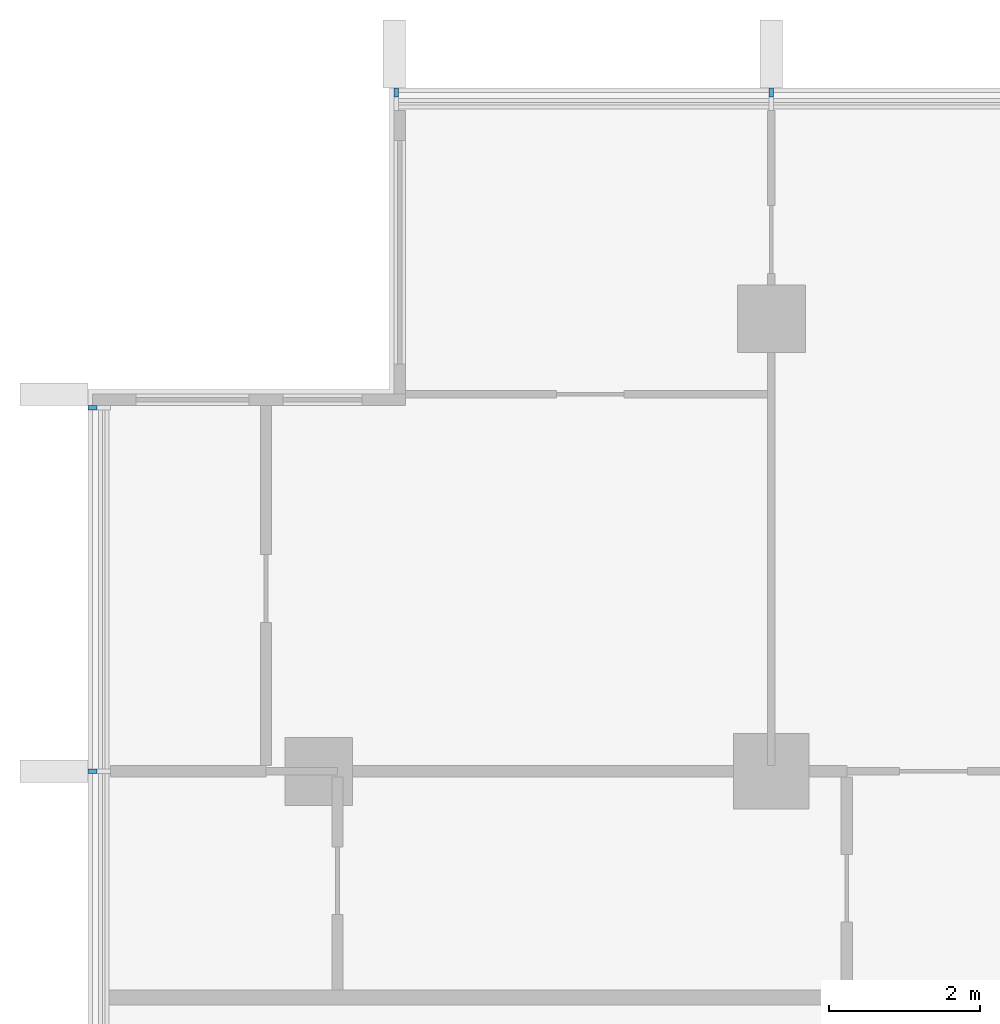
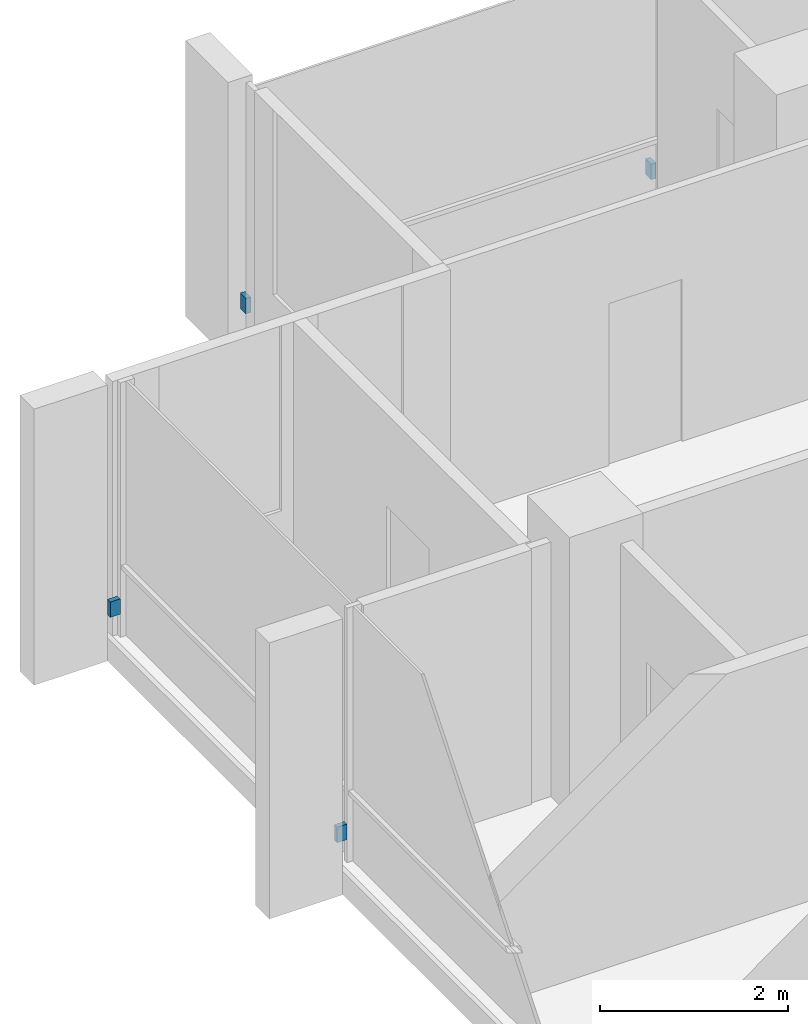
# One storey, part 15 of 17: 4 discrete accessories.
"""IFC4 building model written with IfcOpenShell, lengths in metres."""

from ifc_helpers import new_model, si_unit, direction, frame, origin, origin_2d, place, context, subcontext, project, spatial, rectangle, extrude, material, type_object, element, save


model = new_model("IFC4")

# Units and contexts
model_context = context("Model", 3, precision=1e-05, world=origin(), true_north=direction((0.0, 1.0)))
body_context = subcontext(model_context, "Body", "Model", "MODEL_VIEW")
ifc_project = project(units=[si_unit("LENGTHUNIT", "METRE"), si_unit("AREAUNIT", "SQUARE_METRE"), si_unit("VOLUMEUNIT", "CUBIC_METRE"), si_unit("PLANEANGLEUNIT", "RADIAN"), si_unit("MASSUNIT", "GRAM", prefix="KILO")], contexts=[model_context])

# Site, building, storey
site_placement = place(None, origin())
site = spatial("IfcSite", under=ifc_project, at=site_placement, CompositionType="ELEMENT")
building_placement = place(site_placement, origin())
building = spatial("IfcBuilding", under=site, at=building_placement, Name="Finial Court Residences", CompositionType="ELEMENT")
storey_placement = place(building_placement, frame((0.0, 0.0, 174.5)))
storey = spatial("IfcBuildingStorey", under=building, at=storey_placement, Name="L43", CompositionType="ELEMENT", Elevation=174.5)

# Discrete accessories
ifc_material = material(Name="Stainless steel 316", Category="steel")
discrete_accessory_type = type_object("IfcDiscreteAccessoryType", Name="Fin bracket, stainless steel 60 x 122 x 200", PredefinedType="BRACKET", material=ifc_material)
for number, where, z_axis, x_axis, name in (
    (1, (-15.469970703125, 22.498779296875, 0.2998046875), (0.0, 0.0, 1.0), (1.0, 0.0, 0.0), "E-L43-FIN-N1-BRK"),
    (2, (-10.5, 22.498779296875, 0.2998046875), (0.0, 0.0, 1.0), (1.0, 0.0, 0.0), "E-L43-FIN-N2-BRK"),
):
    element("IfcDiscreteAccessory", number, at=place(storey_placement, frame(where, z_axis=z_axis, x_axis=x_axis)), inside=storey, type_object=discrete_accessory_type, Name=name, PredefinedType="BRACKET", context=body_context, shape_type="SweptSolid", body=[
        extrude(rectangle(XDim=0.06005859375, YDim=0.12255859375, at=origin_2d()), origin(), (0.0, 0.0, 1.0), 0.199951171875),
    ])
for number, where, z_axis, x_axis, name in (
    (3, (-19.498779296875, 13.5, 0.2998046875), (0.0, 0.0, 1.0), (1.0, 0.0, 0.0), "E-L43-FIN-W27-BRK"),
    (4, (-19.498779296875, 18.320068359375, 0.2998046875), (0.0, 0.0, 1.0), (1.0, 0.0, 0.0), "E-L43-FIN-W28-BRK"),
):
    element("IfcDiscreteAccessory", number, at=place(storey_placement, frame(where, z_axis=z_axis, x_axis=x_axis)), inside=storey, type_object=discrete_accessory_type, Name=name, PredefinedType="BRACKET", context=body_context, shape_type="SweptSolid", body=[
        extrude(rectangle(XDim=0.12255859375, YDim=0.06005859375, at=origin_2d()), origin(), (0.0, 0.0, 1.0), 0.199951171875),
    ])

save(model, "model.ifc")
